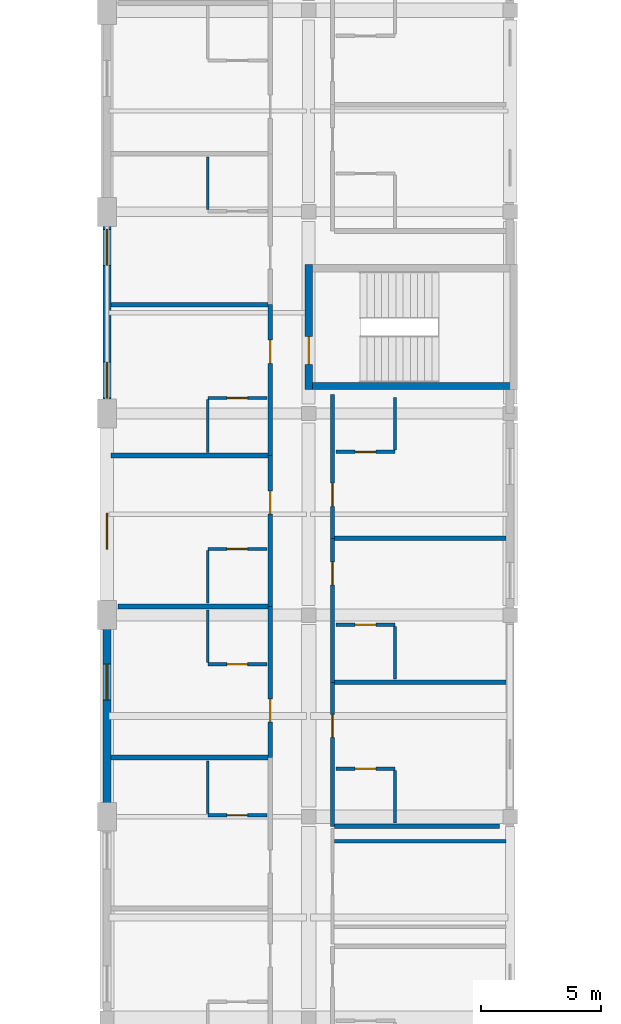
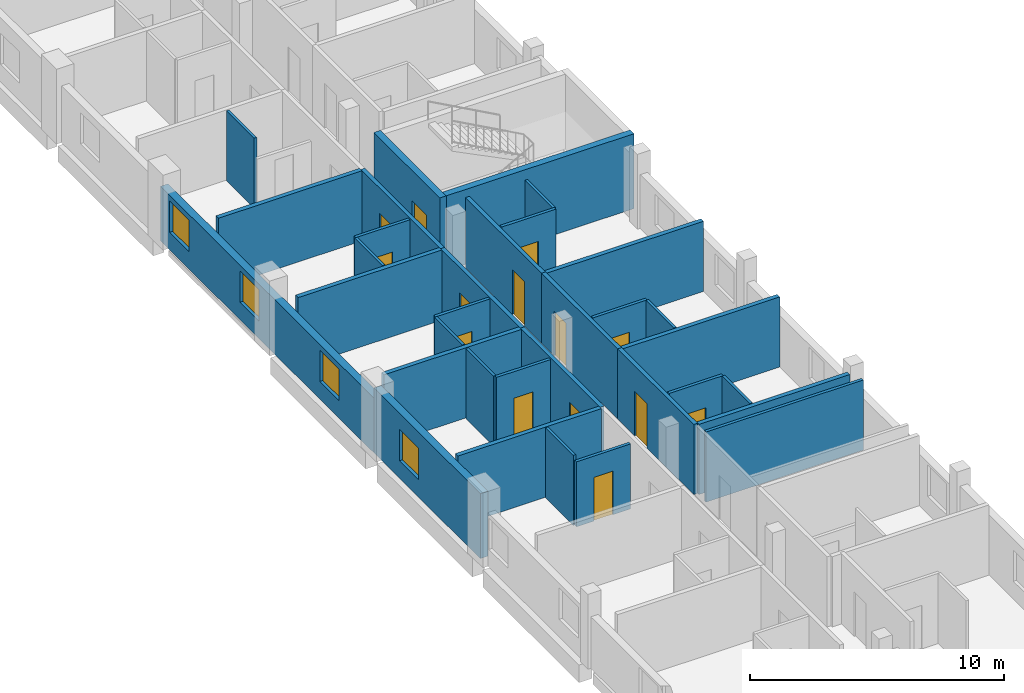
# One storey, part 15 of 25: 33 walls, 14 doors, 4 windows, 18 openings.
"""IFC4 building model written with IfcOpenShell, lengths in metres."""

from ifc_helpers import new_model, si_unit, derived_unit, direction, frame, frame_2d, origin, place, context, subcontext, project, spatial, rectangle, extrude, material, layer, layer_set, type_object, element, fill, save


model = new_model("IFC4")

# Units and contexts
model_context = context("Model", 3, precision=1e-05, world=origin(), true_north=direction((0.0, 1.0)))
body_context = subcontext(model_context, "Body", "Model", "MODEL_VIEW")
ifc_project = project(units=[si_unit("LENGTHUNIT", "METRE"), si_unit("AREAUNIT", "SQUARE_METRE"), si_unit("VOLUMEUNIT", "CUBIC_METRE"), si_unit("PLANEANGLEUNIT", "RADIAN"), si_unit("MASSUNIT", "GRAM", prefix="KILO"), derived_unit("THERMALTRANSMITTANCEUNIT", [(si_unit("POWERUNIT", "WATT"), 1), (si_unit("LENGTHUNIT", "METRE"), -2), (si_unit("THERMODYNAMICTEMPERATUREUNIT", "KELVIN"), -1)])], contexts=[model_context])

# Site, building, storey
site_placement = place(None, origin())
site = spatial("IfcSite", under=ifc_project, at=site_placement, CompositionType="ELEMENT")
building_placement = place(site_placement, origin())
building = spatial("IfcBuilding", under=site, at=building_placement, Name="Barrovel Congress Hotel", CompositionType="ELEMENT")
storey_placement = place(building_placement, frame((0.0, 0.0, 25.5)))
storey = spatial("IfcBuildingStorey", under=building, at=storey_placement, Name="L06", CompositionType="ELEMENT", Elevation=25.5)

# Wall, openings, windows
ifc_material_1 = material(Name="Fired Clay Brick Masonry", Category="masonry")
ifc_layer_1 = layer(ifc_material_1, 0.340087890625)
ifc_layer_set_1 = layer_set([ifc_layer_1], Name="Fired Clay Brick Masonry")
wall_type_1 = type_object("IfcWallType", Name="EW-BRK340", PredefinedType="STANDARD", material=ifc_layer_set_1)
wall_1_placement = place(storey_placement, frame((33.60009765625, 63.0, 0.0), z_axis=(0.0, 0.0, 1.0), x_axis=(0.0, -1.0, 0.0)))
wall_1 = element("IfcWall", 1, at=wall_1_placement, inside=storey, type_object=wall_type_1, Name="EW:L06:HW-W", PredefinedType="STANDARD", context=body_context, shape_type="SweptSolid", body=[
    extrude(rectangle(XDim=16.800048828125, YDim=0.340087890625, at=frame_2d((8.39990234375, 0.0))), origin(), (0.0, 0.0, 1.0), 2.6298828125),
])
opening_1_placement = place(wall_1_placement, frame((12.550048828125, 0.0, 0.85009765625)))
opening_1 = element("IfcOpeningElement", 2, at=opening_1_placement, cuts=wall_1, Name="Opening WN-07", PredefinedType="OPENING", context=body_context, shape_type="SweptSolid", body=[
    extrude(rectangle(XDim=1.5, YDim=1.5, at=frame_2d((0.75, 0.75))), frame((0.0, 0.18017578125, 0.0), z_axis=(0.0, -1.0, 0.0), x_axis=(1.0, 0.0, 0.0)), (0.0, 0.0, 1.0), 0.360107421875),
])
opening_2_placement = place(wall_1_placement, frame((6.26123046875, 0.0, 0.85009765625)))
opening_2 = element("IfcOpeningElement", 3, at=opening_2_placement, cuts=wall_1, Name="Opening WN-07", PredefinedType="OPENING", context=body_context, shape_type="SweptSolid", body=[
    extrude(rectangle(XDim=1.5, YDim=1.5, at=frame_2d((0.75, 0.75))), frame((0.0, 0.18017578125, 0.0), z_axis=(0.0, -1.0, 0.0), x_axis=(1.0, 0.0, 0.0)), (0.0, 0.0, 1.0), 0.360107421875),
])
opening_3_placement = place(wall_1_placement, frame((0.722412109375, 0.0, 0.85009765625)))
opening_3 = element("IfcOpeningElement", 4, at=opening_3_placement, cuts=wall_1, Name="Opening WN-07", PredefinedType="OPENING", context=body_context, shape_type="SweptSolid", body=[
    extrude(rectangle(XDim=1.5, YDim=1.5, at=frame_2d((0.75, 0.75))), frame((0.0, 0.18017578125, 0.0), z_axis=(0.0, -1.0, 0.0), x_axis=(1.0, 0.0, 0.0)), (0.0, 0.0, 1.0), 0.360107421875),
])
ifc_material_2 = material(Name="Double Low-E Insulated Glazing", Category="glass")
window_type = type_object("IfcWindowType", Name="WIN-WN-07", PartitioningType="SINGLE_PANEL", PredefinedType="WINDOW", material=ifc_material_2)
window_1_placement = place(opening_1_placement, origin())
window_1 = element("IfcWindow", 5, at=window_1_placement, inside=storey, type_object=window_type, Name="WIN:L06:U32", OverallHeight=1.5, OverallWidth=1.5, PartitioningType="SINGLE_PANEL", PredefinedType="WINDOW", context=body_context, shape_type="SweptSolid", body=[
    extrude(rectangle(XDim=1.5, YDim=1.5, at=frame_2d((0.75, 0.75))), frame((0.0, 0.030029296875, 0.0), z_axis=(0.0, -1.0, 0.0), x_axis=(1.0, 0.0, 0.0)), (0.0, 0.0, 1.0), 0.06005859375),
])
fill(opening_1, window_1)
window_2_placement = place(opening_2_placement, origin())
window_2 = element("IfcWindow", 6, at=window_2_placement, inside=storey, type_object=window_type, Name="WIN:L06:U33", OverallHeight=1.5, OverallWidth=1.5, PartitioningType="SINGLE_PANEL", PredefinedType="WINDOW", context=body_context, shape_type="SweptSolid", body=[
    extrude(rectangle(XDim=1.5, YDim=1.5, at=frame_2d((0.75, 0.75))), frame((0.0, 0.030029296875, 0.0), z_axis=(0.0, -1.0, 0.0), x_axis=(1.0, 0.0, 0.0)), (0.0, 0.0, 1.0), 0.06005859375),
])
fill(opening_2, window_2)
window_3_placement = place(opening_3_placement, origin())
window_3 = element("IfcWindow", 7, at=window_3_placement, inside=storey, type_object=window_type, Name="WIN:L06:U34", OverallHeight=1.5, OverallWidth=1.5, PartitioningType="SINGLE_PANEL", PredefinedType="WINDOW", context=body_context, shape_type="SweptSolid", body=[
    extrude(rectangle(XDim=1.5, YDim=1.5, at=frame_2d((0.75, 0.75))), frame((0.0, 0.030029296875, 0.0), z_axis=(0.0, -1.0, 0.0), x_axis=(1.0, 0.0, 0.0)), (0.0, 0.0, 1.0), 0.06005859375),
])
fill(opening_3, window_3)

# Wall, opening, window
wall_2_placement = place(storey_placement, frame((33.60009765625, 46.199951171875, 0.0), z_axis=(0.0, 0.0, 1.0), x_axis=(0.0, -1.0, 0.0)))
wall_2 = element("IfcWall", 8, at=wall_2_placement, inside=storey, type_object=wall_type_1, Name="EW:L06:HW-W:P04", PredefinedType="STANDARD", context=body_context, shape_type="SweptSolid", body=[
    extrude(rectangle(XDim=8.39990234375, YDim=0.340087890625, at=frame_2d((4.199951171875, 0.0))), origin(), (0.0, 0.0, 1.0), 3.1259765625),
])
opening_4_placement = place(wall_2_placement, frame((2.038818359375, 0.0, 0.85009765625)))
opening_4 = element("IfcOpeningElement", 9, at=opening_4_placement, cuts=wall_2, Name="Opening WN-07", PredefinedType="OPENING", context=body_context, shape_type="SweptSolid", body=[
    extrude(rectangle(XDim=1.5, YDim=1.5, at=frame_2d((0.75, 0.75))), frame((0.0, 0.18017578125, 0.0), z_axis=(0.0, -1.0, 0.0), x_axis=(1.0, 0.0, 0.0)), (0.0, 0.0, 1.0), 0.360107421875),
])
window_4_placement = place(opening_4_placement, origin())
window_4 = element("IfcWindow", 10, at=window_4_placement, inside=storey, type_object=window_type, Name="WIN:L06:U31", OverallHeight=1.5, OverallWidth=1.5, PartitioningType="SINGLE_PANEL", PredefinedType="WINDOW", context=body_context, shape_type="SweptSolid", body=[
    extrude(rectangle(XDim=1.5, YDim=1.5, at=frame_2d((0.75, 0.75))), frame((0.0, 0.030029296875, 0.0), z_axis=(0.0, -1.0, 0.0), x_axis=(1.0, 0.0, 0.0)), (0.0, 0.0, 1.0), 0.06005859375),
])
fill(opening_4, window_4)

# Wall, opening, door
ifc_material_3 = material(Name="Gypsum Acoustic Stud", Category="gypsum")
ifc_layer_2 = layer(ifc_material_3, 0.179931640625)
ifc_layer_set_2 = layer_set([ifc_layer_2], Name="Gypsum Acoustic Stud")
wall_type_2 = type_object("IfcWallType", Name="PW-ACU-180", PredefinedType="PARTITIONING", material=ifc_layer_set_2)
wall_3_placement = place(storey_placement, frame((40.39990234375, 40.2666015625, 0.0), z_axis=(0.0, 0.0, 1.0), x_axis=(0.0, 1.0, 0.0)))
wall_3 = element("IfcWall", 11, at=wall_3_placement, inside=storey, type_object=wall_type_2, Name="PW:L06:U31:COR", PredefinedType="PARTITIONING", context=body_context, shape_type="SweptSolid", body=[
    extrude(rectangle(XDim=6.2890625, YDim=0.179931640625, at=frame_2d((3.14453125, 0.0))), origin(), (0.0, 0.0, 1.0), 3.375),
])
opening_5_placement = place(wall_3_placement, frame((1.4794921875, 0.0, 0.0)))
opening_5 = element("IfcOpeningElement", 12, at=opening_5_placement, cuts=wall_3, Name="Opening ID-HTL", PredefinedType="OPENING", context=body_context, shape_type="SweptSolid", body=[
    extrude(rectangle(XDim=0.9599609375, YDim=2.14990234375, at=frame_2d((0.47998046875, 1.074951171875))), frame((0.0, 0.10009765625, 0.0), z_axis=(0.0, -1.0, 0.0), x_axis=(1.0, 0.0, 0.0)), (0.0, 0.0, 1.0), 0.199951171875),
])
ifc_material_4 = material(Name="Solid Oak Acoustic Timber Door", Category="wood")
door_type_1 = type_object("IfcDoorType", Name="IDR-ID-HTL", OperationType="NOTDEFINED", PredefinedType="DOOR", material=ifc_material_4)
door_1_placement = place(opening_5_placement, origin())
door_1 = element("IfcDoor", 13, at=door_1_placement, inside=storey, type_object=door_type_1, Name="DR:L06:U31:ENT", OperationType="SINGLE_SWING_RIGHT", OverallHeight=2.14990234375, OverallWidth=0.9599609375, PredefinedType="DOOR", context=body_context, shape_type="SweptSolid", body=[
    extrude(rectangle(XDim=0.9599609375, YDim=2.14990234375, at=frame_2d((0.47998046875, 1.074951171875))), frame((0.0, 0.02490234375, 0.0), z_axis=(0.0, -1.0, 0.0), x_axis=(1.0, 0.0, 0.0)), (0.0, 0.0, 1.0), 0.050048828125),
])
fill(opening_5, door_1)

wall_4_placement = place(storey_placement, frame((40.39990234375, 46.5556640625, 0.0), z_axis=(0.0, 0.0, 1.0), x_axis=(0.0, 1.0, 0.0)))
wall_4 = element("IfcWall", 14, at=wall_4_placement, inside=storey, type_object=wall_type_2, Name="PW:L06:U32:COR", PredefinedType="PARTITIONING", context=body_context, shape_type="SweptSolid", body=[
    extrude(rectangle(XDim=6.288818359375, YDim=0.179931640625, at=frame_2d((3.14453125, 0.0))), origin(), (0.0, 0.0, 1.0), 3.375),
])
opening_6_placement = place(wall_4_placement, frame((3.849365234375, 0.0, 0.0)))
opening_6 = element("IfcOpeningElement", 15, at=opening_6_placement, cuts=wall_4, Name="Opening ID-HTL", PredefinedType="OPENING", context=body_context, shape_type="SweptSolid", body=[
    extrude(rectangle(XDim=0.9599609375, YDim=2.14990234375, at=frame_2d((0.47998046875, 1.074951171875))), frame((0.0, 0.10009765625, 0.0), z_axis=(0.0, -1.0, 0.0), x_axis=(1.0, 0.0, 0.0)), (0.0, 0.0, 1.0), 0.199951171875),
])
door_2_placement = place(opening_6_placement, origin())
door_2 = element("IfcDoor", 16, at=door_2_placement, inside=storey, type_object=door_type_1, Name="DR:L06:U32:ENT", OperationType="SINGLE_SWING_RIGHT", OverallHeight=2.14990234375, OverallWidth=0.9599609375, PredefinedType="DOOR", context=body_context, shape_type="SweptSolid", body=[
    extrude(rectangle(XDim=0.9599609375, YDim=2.14990234375, at=frame_2d((0.47998046875, 1.074951171875))), frame((0.0, 0.02490234375, 0.0), z_axis=(0.0, -1.0, 0.0), x_axis=(1.0, 0.0, 0.0)), (0.0, 0.0, 1.0), 0.050048828125),
])
fill(opening_6, door_2)

wall_5_placement = place(storey_placement, frame((40.39990234375, 52.844482421875, 0.0), z_axis=(0.0, 0.0, 1.0), x_axis=(0.0, 1.0, 0.0)))
wall_5 = element("IfcWall", 17, at=wall_5_placement, inside=storey, type_object=wall_type_2, Name="PW:L06:U33:COR", PredefinedType="PARTITIONING", context=body_context, shape_type="SweptSolid", body=[
    extrude(rectangle(XDim=6.288818359375, YDim=0.179931640625, at=frame_2d((3.14453125, 0.0))), origin(), (0.0, 0.0, 1.0), 3.375),
])
opening_7_placement = place(wall_5_placement, frame((3.849609375, 0.0, 0.0)))
opening_7 = element("IfcOpeningElement", 18, at=opening_7_placement, cuts=wall_5, Name="Opening ID-HTL", PredefinedType="OPENING", context=body_context, shape_type="SweptSolid", body=[
    extrude(rectangle(XDim=0.9599609375, YDim=2.14990234375, at=frame_2d((0.47998046875, 1.074951171875))), frame((0.0, 0.10009765625, 0.0), z_axis=(0.0, -1.0, 0.0), x_axis=(1.0, 0.0, 0.0)), (0.0, 0.0, 1.0), 0.199951171875),
])
door_3_placement = place(opening_7_placement, origin())
door_3 = element("IfcDoor", 19, at=door_3_placement, inside=storey, type_object=door_type_1, Name="DR:L06:U33:ENT", OperationType="SINGLE_SWING_RIGHT", OverallHeight=2.14990234375, OverallWidth=0.9599609375, PredefinedType="DOOR", context=body_context, shape_type="SweptSolid", body=[
    extrude(rectangle(XDim=0.9599609375, YDim=2.14990234375, at=frame_2d((0.47998046875, 1.074951171875))), frame((0.0, 0.02490234375, 0.0), z_axis=(0.0, -1.0, 0.0), x_axis=(1.0, 0.0, 0.0)), (0.0, 0.0, 1.0), 0.050048828125),
])
fill(opening_7, door_3)

wall_6_placement = place(storey_placement, frame((43.0, 37.39990234375, 0.0), z_axis=(0.0, 0.0, 1.0), x_axis=(0.0, 1.0, 0.0)))
wall_6 = element("IfcWall", 20, at=wall_6_placement, inside=storey, type_object=wall_type_2, Name="PW:L06:U39:COR", PredefinedType="PARTITIONING", context=body_context, shape_type="SweptSolid", body=[
    extrude(rectangle(XDim=6.0, YDim=0.179931640625, at=frame_2d((3.0, 0.0))), origin(), (0.0, 0.0, 1.0), 3.375),
])
opening_8_placement = place(wall_6_placement, frame((3.705078125, 0.0, 0.0)))
opening_8 = element("IfcOpeningElement", 21, at=opening_8_placement, cuts=wall_6, Name="Opening ID-HTL", PredefinedType="OPENING", context=body_context, shape_type="SweptSolid", body=[
    extrude(rectangle(XDim=0.9599609375, YDim=2.14990234375, at=frame_2d((0.47998046875, 1.074951171875))), frame((0.0, 0.10009765625, 0.0), z_axis=(0.0, -1.0, 0.0), x_axis=(1.0, 0.0, 0.0)), (0.0, 0.0, 1.0), 0.199951171875),
])
door_4_placement = place(opening_8_placement, origin())
door_4 = element("IfcDoor", 22, at=door_4_placement, inside=storey, type_object=door_type_1, Name="DR:L06:U39:ENT", OperationType="SINGLE_SWING_RIGHT", OverallHeight=2.14990234375, OverallWidth=0.9599609375, PredefinedType="DOOR", context=body_context, shape_type="SweptSolid", body=[
    extrude(rectangle(XDim=0.9599609375, YDim=2.14990234375, at=frame_2d((0.47998046875, 1.074951171875))), frame((0.0, 0.02490234375, 0.0), z_axis=(0.0, -1.0, 0.0), x_axis=(1.0, 0.0, 0.0)), (0.0, 0.0, 1.0), 0.050048828125),
])
fill(opening_8, door_4)

wall_7_placement = place(storey_placement, frame((43.0, 43.39990234375, 0.0), z_axis=(0.0, 0.0, 1.0), x_axis=(0.0, 1.0, 0.0)))
wall_7 = element("IfcWall", 23, at=wall_7_placement, inside=storey, type_object=wall_type_2, Name="PW:L06:U40:COR", PredefinedType="PARTITIONING", context=body_context, shape_type="SweptSolid", body=[
    extrude(rectangle(XDim=6.0, YDim=0.179931640625, at=frame_2d((3.0, 0.0))), origin(), (0.0, 0.0, 1.0), 3.375),
])
opening_9_placement = place(wall_7_placement, frame((4.054931640625, 0.0, 0.0)))
opening_9 = element("IfcOpeningElement", 24, at=opening_9_placement, cuts=wall_7, Name="Opening ID-HTL", PredefinedType="OPENING", context=body_context, shape_type="SweptSolid", body=[
    extrude(rectangle(XDim=0.9599609375, YDim=2.14990234375, at=frame_2d((0.47998046875, 1.074951171875))), frame((0.0, 0.10009765625, 0.0), z_axis=(0.0, -1.0, 0.0), x_axis=(1.0, 0.0, 0.0)), (0.0, 0.0, 1.0), 0.199951171875),
])
door_5_placement = place(opening_9_placement, origin())
door_5 = element("IfcDoor", 25, at=door_5_placement, inside=storey, type_object=door_type_1, Name="DR:L06:U40:ENT", OperationType="SINGLE_SWING_RIGHT", OverallHeight=2.14990234375, OverallWidth=0.9599609375, PredefinedType="DOOR", context=body_context, shape_type="SweptSolid", body=[
    extrude(rectangle(XDim=0.9599609375, YDim=2.14990234375, at=frame_2d((0.47998046875, 1.074951171875))), frame((0.0, 0.02490234375, 0.0), z_axis=(0.0, -1.0, 0.0), x_axis=(1.0, 0.0, 0.0)), (0.0, 0.0, 1.0), 0.050048828125),
])
fill(opening_9, door_5)

wall_8_placement = place(storey_placement, frame((43.0, 49.39990234375, 0.0), z_axis=(0.0, 0.0, 1.0), x_axis=(0.0, 1.0, 0.0)))
wall_8 = element("IfcWall", 26, at=wall_8_placement, inside=storey, type_object=wall_type_2, Name="PW:L06:U41:COR", PredefinedType="PARTITIONING", context=body_context, shape_type="SweptSolid", body=[
    extrude(rectangle(XDim=6.0, YDim=0.179931640625, at=frame_2d((3.0, 0.0))), origin(), (0.0, 0.0, 1.0), 3.375),
])
opening_10_placement = place(wall_8_placement, frame((1.3349609375, 0.0, 0.0)))
opening_10 = element("IfcOpeningElement", 27, at=opening_10_placement, cuts=wall_8, Name="Opening ID-HTL", PredefinedType="OPENING", context=body_context, shape_type="SweptSolid", body=[
    extrude(rectangle(XDim=0.9599609375, YDim=2.14990234375, at=frame_2d((0.47998046875, 1.074951171875))), frame((0.0, 0.10009765625, 0.0), z_axis=(0.0, -1.0, 0.0), x_axis=(1.0, 0.0, 0.0)), (0.0, 0.0, 1.0), 0.199951171875),
])
door_6_placement = place(opening_10_placement, origin())
door_6 = element("IfcDoor", 28, at=door_6_placement, inside=storey, type_object=door_type_1, Name="DR:L06:U41:ENT", OperationType="SINGLE_SWING_RIGHT", OverallHeight=2.14990234375, OverallWidth=0.9599609375, PredefinedType="DOOR", context=body_context, shape_type="SweptSolid", body=[
    extrude(rectangle(XDim=0.9599609375, YDim=2.14990234375, at=frame_2d((0.47998046875, 1.074951171875))), frame((0.0, 0.02490234375, 0.0), z_axis=(0.0, -1.0, 0.0), x_axis=(1.0, 0.0, 0.0)), (0.0, 0.0, 1.0), 0.050048828125),
])
fill(opening_10, door_6)

# Walls
ifc_layer_3 = layer(ifc_material_3, 0.1201171875)
ifc_layer_set_3 = layer_set([ifc_layer_3], Name="Gypsum Acoustic Stud")
wall_type_3 = type_object("IfcWallType", Name="PW-INT-120", PredefinedType="PARTITIONING", material=ifc_layer_set_3)
for number, where, z_axis, x_axis, name in (
    (29, (37.800048828125, 37.936767578125, 0.0), (0.0, 0.0, 1.0), (0.0, 1.0, 0.0), "PW:L06:U30:B2"),
    (30, (37.800048828125, 44.2255859375, 0.0), (0.0, 0.0, 1.0), (0.0, 1.0, 0.0), "PW:L06:U31:B2"),
    (31, (37.800048828125, 46.695556640625, 0.0), (0.0, 0.0, 1.0), (0.0, 1.0, 0.0), "PW:L06:U32:B2"),
    (32, (37.800048828125, 52.984375, 0.0), (0.0, 0.0, 1.0), (0.0, 1.0, 0.0), "PW:L06:U33:B2"),
    (33, (37.800048828125, 63.09228515625, 0.0), (0.0, 0.0, 1.0), (0.0, 1.0, 0.0), "PW:L06:U34:B2"),
    (34, (45.60009765625, 37.5400390625, 0.0), (0.0, 0.0, 1.0), (0.0, 1.0, 0.0), "PW:L06:U39:B2"),
    (35, (45.60009765625, 43.5400390625, 0.0), (0.0, 0.0, 1.0), (0.0, 1.0, 0.0), "PW:L06:U40:B2"),
    (36, (45.60009765625, 53.070068359375, 0.0), (0.0, 0.0, 1.0), (0.0, 1.0, 0.0), "PW:L06:U41:B2"),
):
    element("IfcWall", number, at=place(storey_placement, frame(where, z_axis=z_axis, x_axis=x_axis)), inside=storey, type_object=wall_type_3, Name=name, PredefinedType="PARTITIONING", context=body_context, shape_type="SweptSolid", body=[
        extrude(rectangle(XDim=2.18994140625, YDim=0.1201171875, at=frame_2d((1.094970703125, 0.0))), origin(), (0.0, 0.0, 1.0), 3.375),
    ])
ifc_layer_4 = layer(ifc_material_1, 0.199951171875)
ifc_layer_set_4 = layer_set([ifc_layer_4], Name="Fired Clay Brick Masonry")
wall_type_4 = type_object("IfcWallType", Name="PW-MAS-200", PredefinedType="PARTITIONING", material=ifc_layer_set_4)
wall_9_placement = place(storey_placement, frame((33.77001953125, 40.2666015625, 0.0), z_axis=(0.0, 0.0, 1.0), x_axis=(1.0, 0.0, 0.0)))
element("IfcWall", 37, at=wall_9_placement, inside=storey, type_object=wall_type_4, Name="PW:L06:U30:DEM", PredefinedType="PARTITIONING", context=body_context, shape_type="SweptSolid", body=[
    extrude(rectangle(XDim=6.5400390625, YDim=0.199951171875, at=frame_2d((3.27001953125, 0.0))), origin(), (0.0, 0.0, 1.0), 3.375),
])
wall_10_placement = place(storey_placement, frame((34.050048828125, 46.5556640625, 0.0), z_axis=(0.0, 0.0, 1.0), x_axis=(1.0, 0.0, 0.0)))
element("IfcWall", 38, at=wall_10_placement, inside=storey, type_object=wall_type_4, Name="PW:L06:U31:DEM", PredefinedType="PARTITIONING", context=body_context, shape_type="SweptSolid", body=[
    extrude(rectangle(XDim=6.260009765625, YDim=0.199951171875, at=frame_2d((3.1298828125, 0.0))), origin(), (0.0, 0.0, 1.0), 3.375),
])
for number, where, z_axis, x_axis, name in (
    (39, (33.77001953125, 52.844482421875, 0.0), (0.0, 0.0, 1.0), (1.0, 0.0, 0.0), "PW:L06:U32:DEM"),
    (40, (33.77001953125, 59.13330078125, 0.0), (0.0, 0.0, 1.0), (1.0, 0.0, 0.0), "PW:L06:U33:DEM"),
):
    element("IfcWall", number, at=place(storey_placement, frame(where, z_axis=z_axis, x_axis=x_axis)), inside=storey, type_object=wall_type_4, Name=name, PredefinedType="PARTITIONING", context=body_context, shape_type="SweptSolid", body=[
        extrude(rectangle(XDim=6.5400390625, YDim=0.199951171875, at=frame_2d((3.27001953125, 0.0))), origin(), (0.0, 0.0, 1.0), 3.375),
    ])
wall_11_placement = place(storey_placement, frame((43.090087890625, 37.39990234375, 0.0), z_axis=(0.0, 0.0, 1.0), x_axis=(1.0, 0.0, 0.0)))
element("IfcWall", 41, at=wall_11_placement, inside=storey, type_object=wall_type_4, Name="PW:L06:U39:DEM0", PredefinedType="PARTITIONING", context=body_context, shape_type="SweptSolid", body=[
    extrude(rectangle(XDim=6.85986328125, YDim=0.199951171875, at=frame_2d((3.429931640625, 0.0))), origin(), (0.0, 0.0, 1.0), 3.375),
])
for number, where, z_axis, x_axis, name in (
    (42, (43.090087890625, 43.39990234375, 0.0), (0.0, 0.0, 1.0), (1.0, 0.0, 0.0), "PW:L06:U39:DEM"),
    (43, (43.090087890625, 49.39990234375, 0.0), (0.0, 0.0, 1.0), (1.0, 0.0, 0.0), "PW:L06:U40:DEM"),
):
    element("IfcWall", number, at=place(storey_placement, frame(where, z_axis=z_axis, x_axis=x_axis)), inside=storey, type_object=wall_type_4, Name=name, PredefinedType="PARTITIONING", context=body_context, shape_type="SweptSolid", body=[
        extrude(rectangle(XDim=7.139892578125, YDim=0.199951171875, at=frame_2d((3.56982421875, 0.0))), origin(), (0.0, 0.0, 1.0), 3.375),
    ])

# Wall, opening, door
ifc_material_5 = material(Name="Gypsum Moisture Board", Category="gypsum")
ifc_layer_5 = layer(ifc_material_5, 0.139892578125)
ifc_layer_set_5 = layer_set([ifc_layer_5], Name="Gypsum Moisture Board")
wall_type_5 = type_object("IfcWallType", Name="PW-WET-140", PredefinedType="PARTITIONING", material=ifc_layer_set_5)
wall_12_placement = place(storey_placement, frame((37.800048828125, 37.86669921875, 0.0), z_axis=(0.0, 0.0, 1.0), x_axis=(1.0, 0.0, 0.0)))
wall_12 = element("IfcWall", 44, at=wall_12_placement, inside=storey, type_object=wall_type_5, Name="PW:L06:U30:B1", PredefinedType="PARTITIONING", context=body_context, shape_type="SweptSolid", body=[
    extrude(rectangle(XDim=2.4599609375, YDim=0.139892578125, at=frame_2d((1.22998046875, 0.0))), origin(), (0.0, 0.0, 1.0), 3.1259765625),
])
opening_11_placement = place(wall_12_placement, frame((0.800048828125, 0.0, 0.0)))
opening_11 = element("IfcOpeningElement", 45, at=opening_11_placement, cuts=wall_12, Name="Opening ID-ENS", PredefinedType="OPENING", context=body_context, shape_type="SweptSolid", body=[
    extrude(rectangle(XDim=0.860107421875, YDim=2.10009765625, at=frame_2d((0.43017578125, 1.050048828125))), frame((0.0, 0.080078125, 0.0), z_axis=(0.0, -1.0, 0.0), x_axis=(1.0, 0.0, 0.0)), (0.0, 0.0, 1.0), 0.159912109375),
])
ifc_material_6 = material(Name="Lacquered Timber Moisture Door", Category="wood")
door_type_2 = type_object("IfcDoorType", Name="IDR-ID-ENS", OperationType="NOTDEFINED", PredefinedType="DOOR", material=ifc_material_6)
door_7_placement = place(opening_11_placement, origin())
door_7 = element("IfcDoor", 46, at=door_7_placement, inside=storey, type_object=door_type_2, Name="DR:L06:U30:ENS", OperationType="SINGLE_SWING_LEFT", OverallHeight=2.10009765625, OverallWidth=0.860107421875, PredefinedType="DOOR", context=body_context, shape_type="SweptSolid", body=[
    extrude(rectangle(XDim=0.860107421875, YDim=2.10009765625, at=frame_2d((0.43017578125, 1.050048828125))), frame((0.0, 0.02490234375, 0.0), z_axis=(0.0, -1.0, 0.0), x_axis=(1.0, 0.0, 0.0)), (0.0, 0.0, 1.0), 0.050048828125),
])
fill(opening_11, door_7)

wall_13_placement = place(storey_placement, frame((37.800048828125, 44.155517578125, 0.0), z_axis=(0.0, 0.0, 1.0), x_axis=(1.0, 0.0, 0.0)))
wall_13 = element("IfcWall", 47, at=wall_13_placement, inside=storey, type_object=wall_type_5, Name="PW:L06:U31:B1", PredefinedType="PARTITIONING", context=body_context, shape_type="SweptSolid", body=[
    extrude(rectangle(XDim=2.4599609375, YDim=0.139892578125, at=frame_2d((1.22998046875, 0.0))), origin(), (0.0, 0.0, 1.0), 3.375),
])
opening_12_placement = place(wall_13_placement, frame((0.800048828125, 0.0, 0.0)))
opening_12 = element("IfcOpeningElement", 48, at=opening_12_placement, cuts=wall_13, Name="Opening ID-ENS", PredefinedType="OPENING", context=body_context, shape_type="SweptSolid", body=[
    extrude(rectangle(XDim=0.860107421875, YDim=2.10009765625, at=frame_2d((0.43017578125, 1.050048828125))), frame((0.0, 0.080078125, 0.0), z_axis=(0.0, -1.0, 0.0), x_axis=(1.0, 0.0, 0.0)), (0.0, 0.0, 1.0), 0.159912109375),
])
door_8_placement = place(opening_12_placement, origin())
door_8 = element("IfcDoor", 49, at=door_8_placement, inside=storey, type_object=door_type_2, Name="DR:L06:U31:ENS", OperationType="SINGLE_SWING_LEFT", OverallHeight=2.10009765625, OverallWidth=0.860107421875, PredefinedType="DOOR", context=body_context, shape_type="SweptSolid", body=[
    extrude(rectangle(XDim=0.860107421875, YDim=2.10009765625, at=frame_2d((0.43017578125, 1.050048828125))), frame((0.0, 0.02490234375, 0.0), z_axis=(0.0, -1.0, 0.0), x_axis=(1.0, 0.0, 0.0)), (0.0, 0.0, 1.0), 0.050048828125),
])
fill(opening_12, door_8)

wall_14_placement = place(storey_placement, frame((37.800048828125, 48.95556640625, 0.0), z_axis=(0.0, 0.0, 1.0), x_axis=(1.0, 0.0, 0.0)))
wall_14 = element("IfcWall", 50, at=wall_14_placement, inside=storey, type_object=wall_type_5, Name="PW:L06:U32:B1", PredefinedType="PARTITIONING", context=body_context, shape_type="SweptSolid", body=[
    extrude(rectangle(XDim=2.4599609375, YDim=0.139892578125, at=frame_2d((1.22998046875, 0.0))), origin(), (0.0, 0.0, 1.0), 3.375),
])
opening_13_placement = place(wall_14_placement, frame((0.800048828125, 0.0, 0.0)))
opening_13 = element("IfcOpeningElement", 51, at=opening_13_placement, cuts=wall_14, Name="Opening ID-ENS", PredefinedType="OPENING", context=body_context, shape_type="SweptSolid", body=[
    extrude(rectangle(XDim=0.860107421875, YDim=2.10009765625, at=frame_2d((0.43017578125, 1.050048828125))), frame((0.0, 0.080078125, 0.0), z_axis=(0.0, -1.0, 0.0), x_axis=(1.0, 0.0, 0.0)), (0.0, 0.0, 1.0), 0.159912109375),
])
door_9_placement = place(opening_13_placement, origin())
door_9 = element("IfcDoor", 52, at=door_9_placement, inside=storey, type_object=door_type_2, Name="DR:L06:U32:ENS", OperationType="SINGLE_SWING_LEFT", OverallHeight=2.10009765625, OverallWidth=0.860107421875, PredefinedType="DOOR", context=body_context, shape_type="SweptSolid", body=[
    extrude(rectangle(XDim=0.860107421875, YDim=2.10009765625, at=frame_2d((0.43017578125, 1.050048828125))), frame((0.0, 0.02490234375, 0.0), z_axis=(0.0, -1.0, 0.0), x_axis=(1.0, 0.0, 0.0)), (0.0, 0.0, 1.0), 0.050048828125),
])
fill(opening_13, door_9)

wall_15_placement = place(storey_placement, frame((37.800048828125, 55.244384765625, 0.0), z_axis=(0.0, 0.0, 1.0), x_axis=(1.0, 0.0, 0.0)))
wall_15 = element("IfcWall", 53, at=wall_15_placement, inside=storey, type_object=wall_type_5, Name="PW:L06:U33:B1", PredefinedType="PARTITIONING", context=body_context, shape_type="SweptSolid", body=[
    extrude(rectangle(XDim=2.4599609375, YDim=0.139892578125, at=frame_2d((1.22998046875, 0.0))), origin(), (0.0, 0.0, 1.0), 3.375),
])
opening_14_placement = place(wall_15_placement, frame((0.800048828125, 0.0, 0.0)))
opening_14 = element("IfcOpeningElement", 54, at=opening_14_placement, cuts=wall_15, Name="Opening ID-ENS", PredefinedType="OPENING", context=body_context, shape_type="SweptSolid", body=[
    extrude(rectangle(XDim=0.860107421875, YDim=2.10009765625, at=frame_2d((0.43017578125, 1.050048828125))), frame((0.0, 0.080078125, 0.0), z_axis=(0.0, -1.0, 0.0), x_axis=(1.0, 0.0, 0.0)), (0.0, 0.0, 1.0), 0.159912109375),
])
door_10_placement = place(opening_14_placement, origin())
door_10 = element("IfcDoor", 55, at=door_10_placement, inside=storey, type_object=door_type_2, Name="DR:L06:U33:ENS", OperationType="SINGLE_SWING_LEFT", OverallHeight=2.10009765625, OverallWidth=0.860107421875, PredefinedType="DOOR", context=body_context, shape_type="SweptSolid", body=[
    extrude(rectangle(XDim=0.860107421875, YDim=2.10009765625, at=frame_2d((0.43017578125, 1.050048828125))), frame((0.0, 0.02490234375, 0.0), z_axis=(0.0, -1.0, 0.0), x_axis=(1.0, 0.0, 0.0)), (0.0, 0.0, 1.0), 0.050048828125),
])
fill(opening_14, door_10)

wall_16_placement = place(storey_placement, frame((43.139892578125, 39.800048828125, 0.0), z_axis=(0.0, 0.0, 1.0), x_axis=(1.0, 0.0, 0.0)))
wall_16 = element("IfcWall", 56, at=wall_16_placement, inside=storey, type_object=wall_type_5, Name="PW:L06:U39:B1", PredefinedType="PARTITIONING", context=body_context, shape_type="SweptSolid", body=[
    extrude(rectangle(XDim=2.460205078125, YDim=0.139892578125, at=frame_2d((1.22998046875, 0.0))), origin(), (0.0, 0.0, 1.0), 3.375),
])
opening_15_placement = place(wall_16_placement, frame((0.800048828125, 0.0, 0.0)))
opening_15 = element("IfcOpeningElement", 57, at=opening_15_placement, cuts=wall_16, Name="Opening ID-ENS", PredefinedType="OPENING", context=body_context, shape_type="SweptSolid", body=[
    extrude(rectangle(XDim=0.860107421875, YDim=2.10009765625, at=frame_2d((0.43017578125, 1.050048828125))), frame((0.0, 0.080078125, 0.0), z_axis=(0.0, -1.0, 0.0), x_axis=(1.0, 0.0, 0.0)), (0.0, 0.0, 1.0), 0.159912109375),
])
door_11_placement = place(opening_15_placement, origin())
door_11 = element("IfcDoor", 58, at=door_11_placement, inside=storey, type_object=door_type_2, Name="DR:L06:U39:ENS", OperationType="SINGLE_SWING_LEFT", OverallHeight=2.10009765625, OverallWidth=0.860107421875, PredefinedType="DOOR", context=body_context, shape_type="SweptSolid", body=[
    extrude(rectangle(XDim=0.860107421875, YDim=2.10009765625, at=frame_2d((0.43017578125, 1.050048828125))), frame((0.0, 0.02490234375, 0.0), z_axis=(0.0, -1.0, 0.0), x_axis=(1.0, 0.0, 0.0)), (0.0, 0.0, 1.0), 0.050048828125),
])
fill(opening_15, door_11)

wall_17_placement = place(storey_placement, frame((43.139892578125, 45.800048828125, 0.0), z_axis=(0.0, 0.0, 1.0), x_axis=(1.0, 0.0, 0.0)))
wall_17 = element("IfcWall", 59, at=wall_17_placement, inside=storey, type_object=wall_type_5, Name="PW:L06:U40:B1", PredefinedType="PARTITIONING", context=body_context, shape_type="SweptSolid", body=[
    extrude(rectangle(XDim=2.460205078125, YDim=0.139892578125, at=frame_2d((1.22998046875, 0.0))), origin(), (0.0, 0.0, 1.0), 3.375),
])
opening_16_placement = place(wall_17_placement, frame((0.800048828125, 0.0, 0.0)))
opening_16 = element("IfcOpeningElement", 60, at=opening_16_placement, cuts=wall_17, Name="Opening ID-ENS", PredefinedType="OPENING", context=body_context, shape_type="SweptSolid", body=[
    extrude(rectangle(XDim=0.860107421875, YDim=2.10009765625, at=frame_2d((0.43017578125, 1.050048828125))), frame((0.0, 0.080078125, 0.0), z_axis=(0.0, -1.0, 0.0), x_axis=(1.0, 0.0, 0.0)), (0.0, 0.0, 1.0), 0.159912109375),
])
door_12_placement = place(opening_16_placement, origin())
door_12 = element("IfcDoor", 61, at=door_12_placement, inside=storey, type_object=door_type_2, Name="DR:L06:U40:ENS", OperationType="SINGLE_SWING_LEFT", OverallHeight=2.10009765625, OverallWidth=0.860107421875, PredefinedType="DOOR", context=body_context, shape_type="SweptSolid", body=[
    extrude(rectangle(XDim=0.860107421875, YDim=2.10009765625, at=frame_2d((0.43017578125, 1.050048828125))), frame((0.0, 0.02490234375, 0.0), z_axis=(0.0, -1.0, 0.0), x_axis=(1.0, 0.0, 0.0)), (0.0, 0.0, 1.0), 0.050048828125),
])
fill(opening_16, door_12)

wall_18_placement = place(storey_placement, frame((43.139892578125, 53.0, 0.0), z_axis=(0.0, 0.0, 1.0), x_axis=(1.0, 0.0, 0.0)))
wall_18 = element("IfcWall", 62, at=wall_18_placement, inside=storey, type_object=wall_type_5, Name="PW:L06:U41:B1", PredefinedType="PARTITIONING", context=body_context, shape_type="SweptSolid", body=[
    extrude(rectangle(XDim=2.460205078125, YDim=0.139892578125, at=frame_2d((1.22998046875, 0.0))), origin(), (0.0, 0.0, 1.0), 3.375),
])
opening_17_placement = place(wall_18_placement, frame((0.800048828125, 0.0, 0.0)))
opening_17 = element("IfcOpeningElement", 63, at=opening_17_placement, cuts=wall_18, Name="Opening ID-ENS", PredefinedType="OPENING", context=body_context, shape_type="SweptSolid", body=[
    extrude(rectangle(XDim=0.860107421875, YDim=2.10009765625, at=frame_2d((0.43017578125, 1.050048828125))), frame((0.0, 0.080078125, 0.0), z_axis=(0.0, -1.0, 0.0), x_axis=(1.0, 0.0, 0.0)), (0.0, 0.0, 1.0), 0.159912109375),
])
door_13_placement = place(opening_17_placement, origin())
door_13 = element("IfcDoor", 64, at=door_13_placement, inside=storey, type_object=door_type_2, Name="DR:L06:U41:ENS", OperationType="SINGLE_SWING_LEFT", OverallHeight=2.10009765625, OverallWidth=0.860107421875, PredefinedType="DOOR", context=body_context, shape_type="SweptSolid", body=[
    extrude(rectangle(XDim=0.860107421875, YDim=2.10009765625, at=frame_2d((0.43017578125, 1.050048828125))), frame((0.0, 0.02490234375, 0.0), z_axis=(0.0, -1.0, 0.0), x_axis=(1.0, 0.0, 0.0)), (0.0, 0.0, 1.0), 0.050048828125),
])
fill(opening_17, door_13)

# Walls
wall_19_placement = place(storey_placement, frame((43.070068359375, 36.780029296875, 0.0), z_axis=(0.0, 0.0, 1.0), x_axis=(1.0, 0.0, 0.0)))
element("IfcWall", 65, at=wall_19_placement, inside=storey, type_object=wall_type_5, Name="RW:SP:L06:WC-A:N", PredefinedType="PARTITIONING", context=body_context, shape_type="SweptSolid", body=[
    extrude(rectangle(XDim=7.159912109375, YDim=0.139892578125, at=frame_2d((3.580078125, 0.0))), origin(), (0.0, 0.0, 1.0), 3.375),
])
ifc_material_7 = material(Name="Concrete C40", Category="concrete")
ifc_layer_6 = layer(ifc_material_7, 0.300048828125)
ifc_layer_set_6 = layer_set([ifc_layer_6], Name="Concrete C40")
wall_type_6 = type_object("IfcWallType", Name="SW-C40-300", PredefinedType="SHEAR", material=ifc_layer_set_6)
wall_20_placement = place(storey_placement, frame((41.860107421875, 55.75, 0.0), z_axis=(0.0, 0.0, 1.0), x_axis=(1.0, 0.0, 0.0)))
element("IfcWall", 66, at=wall_20_placement, inside=storey, type_object=wall_type_6, Name="SHW:XS-05:L06:S", PredefinedType="SHEAR", context=body_context, shape_type="SweptSolid", body=[
    extrude(rectangle(XDim=8.83984375, YDim=0.300048828125, at=frame_2d((4.419921875, 0.0))), origin(), (0.0, 0.0, 1.0), 3.60009765625),
])

# Wall, opening, door
wall_21_placement = place(storey_placement, frame((42.010009765625, 60.800048828125, 0.0), z_axis=(0.0, 0.0, 1.0), x_axis=(0.0, -1.0, 0.0)))
wall_21 = element("IfcWall", 67, at=wall_21_placement, inside=storey, type_object=wall_type_6, Name="SHW:XS-05:L06:W", PredefinedType="SHEAR", context=body_context, shape_type="SweptSolid", body=[
    extrude(rectangle(XDim=5.199951171875, YDim=0.300048828125, at=frame_2d((2.60009765625, 0.0))), origin(), (0.0, 0.0, 1.0), 3.60009765625),
])
opening_18_placement = place(wall_21_placement, frame((3.0, 0.0, 0.0)))
opening_18 = element("IfcOpeningElement", 68, at=opening_18_placement, cuts=wall_21, Name="Opening ID-ST1", PredefinedType="OPENING", context=body_context, shape_type="SweptSolid", body=[
    extrude(rectangle(XDim=1.14990234375, YDim=2.14990234375, at=frame_2d((0.574951171875, 1.074951171875))), frame((0.0, 0.16015625, 0.0), z_axis=(0.0, -1.0, 0.0), x_axis=(1.0, 0.0, 0.0)), (0.0, 0.0, 1.0), 0.320068359375),
])
ifc_material_8 = material(Name="Painted Hollow-Metal Steel Door", Category="steel")
door_type_3 = type_object("IfcDoorType", Name="IDR-ID-ST1", OperationType="NOTDEFINED", PredefinedType="DOOR", material=ifc_material_8)
door_14_placement = place(opening_18_placement, origin())
door_14 = element("IfcDoor", 69, at=door_14_placement, inside=storey, type_object=door_type_3, Name="Stair Core Fire Door XS-05-L06", OperationType="SINGLE_SWING_LEFT", OverallHeight=2.14990234375, OverallWidth=1.14990234375, PredefinedType="DOOR", context=body_context, shape_type="SweptSolid", body=[
    extrude(rectangle(XDim=1.14990234375, YDim=2.14990234375, at=frame_2d((0.574951171875, 1.074951171875))), frame((0.0, 0.02490234375, 0.0), z_axis=(0.0, -1.0, 0.0), x_axis=(1.0, 0.0, 0.0)), (0.0, 0.0, 1.0), 0.050048828125),
])
fill(opening_18, door_14)

save(model, "model.ifc")
